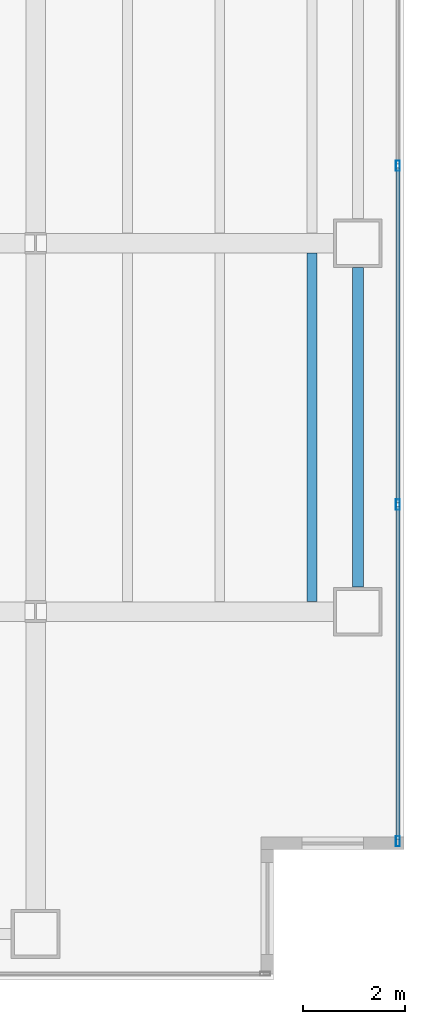
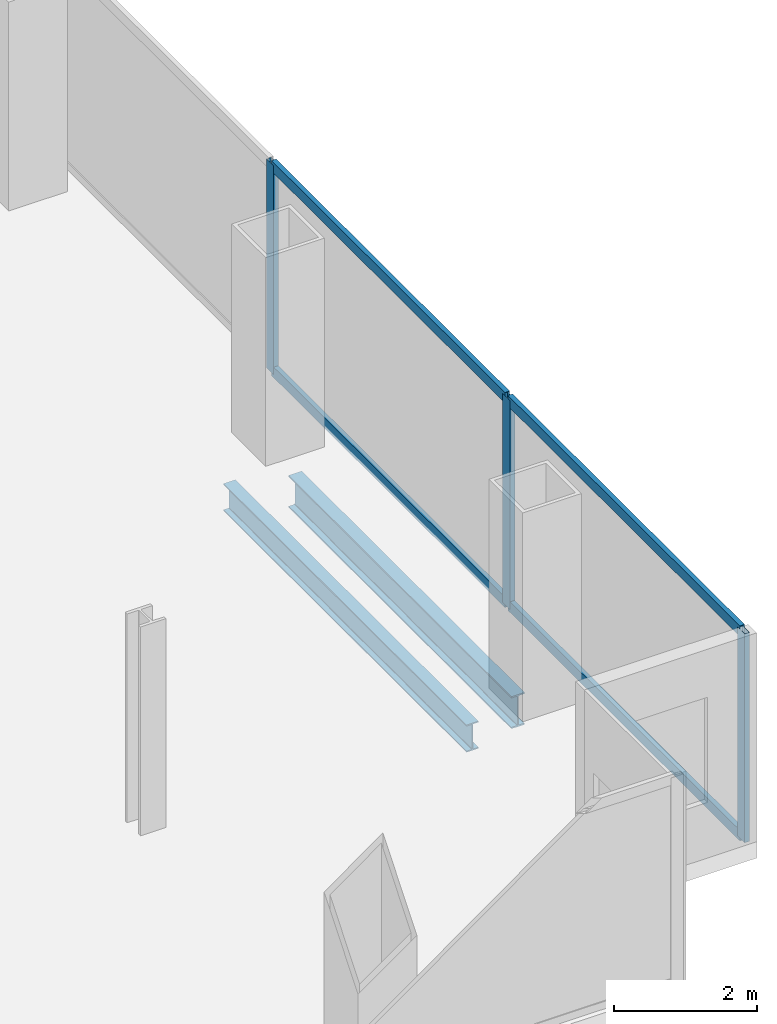
# One storey, part 10 of 23: 7 members, 2 beams, 1 element without a shape of its own.
"""IFC4 building model written with IfcOpenShell, lengths in metres."""

import ifcopenshell
import ifcopenshell.guid

model = None  # the IFC model being written
_history = None  # IfcOwnerHistory: only IFC2X3 demands one
_inside = {}  # id of a spatial element -> (the spatial element, [elements in it])
_under = {}  # id of a project, library or spatial element -> (it, [spatial elements below it])
_declared = {}  # id of a project -> (the project, [libraries it declares])
_typed = {}  # id of a type object -> (the type object, [elements of that type])
_made_of = {}  # id of a material, layer set ... -> (it, [elements and type objects made of it])


def new_model(schema):
    """Start an empty IFC model of exactly this schema.

    Asked for "IFC4X3", IfcOpenShell would pick the latest addendum, in which some entities
    have other attributes; the version numbers below select the first issue.
    IFC2X3 requires an IfcOwnerHistory on every rooted entity: one is made here for all.
    """
    global model, _history
    if schema == "IFC4X3":
        model = ifcopenshell.file(schema_version=(4, 3, 0, 0))
    else:
        model = ifcopenshell.file(schema=schema)
    _inside.clear()
    _under.clear()
    _declared.clear()
    _typed.clear()
    _made_of.clear()
    _history = None
    if model.schema == "IFC2X3":
        org = make("IfcOrganization", Name="unknown")
        user = make(
            "IfcPersonAndOrganization",
            ThePerson=make("IfcPerson", FamilyName="unknown"),
            TheOrganization=org,
        )
        app = make(
            "IfcApplication",
            ApplicationDeveloper=org,
            Version="unknown",
            ApplicationFullName="unknown",
            ApplicationIdentifier="unknown",
        )
        _history = make(
            "IfcOwnerHistory",
            OwningUser=user,
            OwningApplication=app,
            ChangeAction="ADDED",
            CreationDate=0,
        )
    return model


def make(cls, **values):
    """One entity of the class cls with the attributes given. An attribute that is None is left unset."""
    return model.create_entity(
        cls, **{name: value for name, value in values.items() if value is not None}
    )


def rooted(cls, **values):
    """An entity with a GlobalId (a new one), such as an element, a storey or a relation."""
    return make(cls, GlobalId=ifcopenshell.guid.new(), OwnerHistory=_history, **values)


def si_unit(unit_type, name, prefix=None):
    """IfcSIUnit, for example si_unit("LENGTHUNIT", "METRE", prefix="MILLI")."""
    return make("IfcSIUnit", UnitType=unit_type, Prefix=prefix, Name=name)


def assignment(units):
    """IfcUnitAssignment: the units of a project."""
    return None if units is None else make("IfcUnitAssignment", Units=units)


def point(xyz):
    """IfcCartesianPoint."""
    return None if xyz is None else make("IfcCartesianPoint", Coordinates=xyz)


def direction(xyz):
    """IfcDirection."""
    return None if xyz is None else make("IfcDirection", DirectionRatios=xyz)


def frame(location, z_axis=None, x_axis=None):
    """IfcAxis2Placement3D, a coordinate frame: its origin and axes. An axis left out is left unset."""
    return make(
        "IfcAxis2Placement3D",
        Location=point(location),
        Axis=direction(z_axis),
        RefDirection=direction(x_axis),
    )


def frame_2d(location, x_axis=None):
    """IfcAxis2Placement2D, a coordinate frame in the plane: its origin and x axis."""
    return make(
        "IfcAxis2Placement2D", Location=point(location), RefDirection=direction(x_axis)
    )


def origin():
    """The frame at (0, 0, 0) with its axes left unset."""
    return frame((0.0, 0.0, 0.0))


def origin_2d():
    """The frame at (0, 0) in the plane with its x axis left unset."""
    return frame_2d((0.0, 0.0))


def place(relative_to, where):
    """IfcLocalPlacement: puts the frame where relative to a parent placement (None: the world)."""
    return make(
        "IfcLocalPlacement", PlacementRelTo=relative_to, RelativePlacement=where
    )


def context(
    kind, dimensions, precision=None, world=None, true_north=None, identifier=None
):
    """IfcGeometricRepresentationContext, for example the 3D "Model" context."""
    return make(
        "IfcGeometricRepresentationContext",
        ContextIdentifier=identifier,
        ContextType=kind,
        CoordinateSpaceDimension=dimensions,
        Precision=precision,
        WorldCoordinateSystem=world,
        TrueNorth=true_north,
    )


def subcontext(parent, identifier, kind, view, scale=None):
    """IfcGeometricRepresentationSubContext, for example "Body" below "Model"."""
    return make(
        "IfcGeometricRepresentationSubContext",
        ContextIdentifier=identifier,
        ContextType=kind,
        ParentContext=parent,
        TargetScale=scale,
        TargetView=view,
    )


def project(units=None, contexts=None):
    """IfcProject with its units and contexts."""
    return rooted(
        "IfcProject",
        Name="project",
        RepresentationContexts=contexts,
        UnitsInContext=assignment(units),
    )


def spatial(cls, under=None, at=None, **own):
    """A site, building, storey or space (cls), placed at a placement, below another one or the project."""
    s = rooted(cls, ObjectPlacement=at, **own)
    if under is not None:
        _under.setdefault(under.id(), (under, []))[1].append(s)
    return s


def profile(cls, at=None, kind="AREA", **sizes):
    """A parametric profile (cls). Its sizes go by their IFC names, for example OverallWidth=200.0."""
    return make(cls, ProfileType=kind, Position=at, **sizes)


def hollow_rectangle(**sizes):
    """IfcRectangleHollowProfileDef."""
    return profile("IfcRectangleHollowProfileDef", **sizes)


def i_section(**sizes):
    """IfcIShapeProfileDef."""
    return profile("IfcIShapeProfileDef", **sizes)


def extrude(swept, where, along, depth):
    """IfcExtrudedAreaSolid: the profile swept, set in the frame where, extruded along a direction by depth."""
    return make(
        "IfcExtrudedAreaSolid",
        SweptArea=swept,
        Position=where,
        ExtrudedDirection=direction(along),
        Depth=depth,
    )


def shape(context_of_items, identifier, shape_type, items):
    """IfcShapeRepresentation: the items that make up one representation, for example the "Body"."""
    return make(
        "IfcShapeRepresentation",
        ContextOfItems=context_of_items,
        RepresentationIdentifier=identifier,
        RepresentationType=shape_type,
        Items=items,
    )


def material(Name=None, Category=None):
    """IfcMaterial."""
    return make("IfcMaterial", Name=Name, Category=Category)


def material_profile(
    of_material, cross_section, Name=None, Category=None, Priority=None
):
    """IfcMaterialProfile: a cross section and its material."""
    return make(
        "IfcMaterialProfile",
        Name=Name,
        Material=of_material,
        Profile=cross_section,
        Priority=Priority,
        Category=Category,
    )


def profile_set(profiles, Name=None, composite=None):
    """IfcMaterialProfileSet."""
    return make(
        "IfcMaterialProfileSet",
        Name=Name,
        MaterialProfiles=profiles,
        CompositeProfile=composite,
    )


def made_of(thing, what):
    """Note that an element or type object is made of a material, layer set ...; save() writes the relation."""
    if what is not None:
        _made_of.setdefault(what.id(), (what, []))[1].append(thing)
    return thing


def type_object(cls, material=None, **own):
    """A type object (cls), such as IfcWallType, which elements share."""
    return made_of(rooted(cls, **own), material)


def element(
    cls,
    number,
    at=None,
    inside=None,
    cuts=None,
    type_object=None,
    material=None,
    context=None,
    identifier="Body",
    shape_type=None,
    held_by="IfcProductDefinitionShape",
    body=None,
    shapes=None,
    **own,
):
    """One element of the class cls, such as IfcWall. Its Tag is "e" and its number.

    at: its placement. inside: the storey or other place that contains it. cuts: it is an
    opening in that element (IfcRelVoidsElement). A single representation is given by context,
    identifier, shape_type and body (its items); several are given by shapes. held_by: the class
    of the entity that holds the representations. save() writes the other relations.
    """
    e = rooted(cls, Tag="e%d" % number, ObjectPlacement=at, **own)
    if body is not None:
        shapes = [shape(context, identifier, shape_type, body)]
    if shapes is not None:
        e.Representation = make(held_by, Representations=shapes)
    if inside is not None:
        _inside.setdefault(inside.id(), (inside, []))[1].append(e)
    if cuts is not None:
        rooted(
            "IfcRelVoidsElement", RelatingBuildingElement=cuts, RelatedOpeningElement=e
        )
    if type_object is not None:
        _typed.setdefault(type_object.id(), (type_object, []))[1].append(e)
    return made_of(e, material)


def aggregate(whole, parts):
    """IfcRelAggregates: a whole, such as a stair, and the parts it consists of."""
    return rooted("IfcRelAggregates", RelatingObject=whole, RelatedObjects=parts)


def save(model, path):
    """Write the relations noted so far, then the file.

    IfcRelAggregates (storeys below a building ...), IfcRelContainedInSpatialStructure (elements
    in a storey), IfcRelDefinesByType, IfcRelAssociatesMaterial and IfcRelDeclares: one each for
    every whole, place, type object, material and project.
    """
    for whole, parts in _under.values():
        aggregate(whole, parts)
    for where, things in _inside.values():
        rooted(
            "IfcRelContainedInSpatialStructure",
            RelatedElements=things,
            RelatingStructure=where,
        )
    for kind, things in _typed.values():
        rooted("IfcRelDefinesByType", RelatedObjects=things, RelatingType=kind)
    for what, things in _made_of.values():
        rooted("IfcRelAssociatesMaterial", RelatedObjects=things, RelatingMaterial=what)
    for by, libraries in _declared.values():
        rooted("IfcRelDeclares", RelatingContext=by, RelatedDefinitions=libraries)
    model.write(path)


model = new_model("IFC4")

# Units and contexts
model_context = context("Model", 3, precision=1e-05, world=origin(), true_north=direction((0.0, 1.0)))
body_context = subcontext(model_context, "Body", "Model", "MODEL_VIEW")
ifc_project = project(units=[si_unit("LENGTHUNIT", "METRE"), si_unit("AREAUNIT", "SQUARE_METRE"), si_unit("VOLUMEUNIT", "CUBIC_METRE"), si_unit("PLANEANGLEUNIT", "RADIAN"), si_unit("MASSUNIT", "GRAM", prefix="KILO")], contexts=[model_context])

# Site, building, storey
site_placement = place(None, origin())
site = spatial("IfcSite", under=ifc_project, at=site_placement, CompositionType="ELEMENT")
building_placement = place(site_placement, origin())
building = spatial("IfcBuilding", under=site, at=building_placement, Name="Cobrela Telecom Tower", CompositionType="ELEMENT")
storey_placement = place(building_placement, frame((0.0, 0.0, 81.199951171875)))
storey = spatial("IfcBuildingStorey", under=building, at=storey_placement, Name="L20", CompositionType="ELEMENT", Elevation=81.199951171875)

# Beams
ifc_material_1 = material(Name="Steel ASTM A992 Grade 50", Category="steel")
ifc_material_profile_1 = material_profile(ifc_material_1, i_section(OverallWidth=0.193115234375, OverallDepth=0.467041015625, WebThickness=0.011474609375, FlangeThickness=0.01904296875, FilletRadius=0.012939453125, at=origin_2d()), Name="W18X65")
ifc_profile_set_1 = profile_set([ifc_material_profile_1], Name="Steel ASTM A992 Grade 50")
beam_type_1 = type_object("IfcBeamType", Name="BM-JOIST-03", PredefinedType="JOIST", material=ifc_profile_set_1)
beam_1_placement = place(storey_placement, frame((48.60009765625, 7.3955078125, -0.513427734375), z_axis=(0.0, 1.0, 0.0), x_axis=(-1.0, 0.0, 0.0)))
element("IfcBeam", 1, at=beam_1_placement, inside=storey, type_object=beam_type_1, Name="L20 Secondary Composite Floor Beam J63", PredefinedType="JOIST", context=body_context, shape_type="SweptSolid", body=[
    extrude(i_section(OverallWidth=0.193115234375, OverallDepth=0.467041015625, WebThickness=0.011474609375, FlangeThickness=0.01904296875, FilletRadius=0.012939453125, at=origin_2d()), origin(), (0.0, 0.0, 1.0), 6.80908203125),
])
ifc_material_profile_2 = material_profile(ifc_material_1, i_section(OverallWidth=0.212890625, OverallDepth=0.549072265625, WebThickness=0.0146484375, FlangeThickness=0.023681640625, FilletRadius=0.013916015625, at=origin_2d()), Name="W21X93")
ifc_profile_set_2 = profile_set([ifc_material_profile_2], Name="Steel ASTM A992 Grade 50")
beam_type_2 = type_object("IfcBeamType", Name="BM-SPAND-03", PredefinedType="SPANDREL", material=ifc_profile_set_2)
beam_2_placement = place(storey_placement, frame((49.5, 7.679931640625, -0.554443359375), z_axis=(0.0, 1.0, 0.0), x_axis=(-1.0, 0.0, 0.0)))
element("IfcBeam", 2, at=beam_2_placement, inside=storey, type_object=beam_type_2, Name="L20 Perimeter Spandrel Y56", PredefinedType="SPANDREL", context=body_context, shape_type="SweptSolid", body=[
    extrude(i_section(OverallWidth=0.212890625, OverallDepth=0.549072265625, WebThickness=0.0146484375, FlangeThickness=0.023681640625, FilletRadius=0.013916015625, at=origin_2d()), origin(), (0.0, 0.0, 1.0), 6.239990234375),
])

# Curtain wall, members
ifc_material_2 = material(Name="Anodized Bronze Aluminium 6063-T6", Category="aluminium")
curtain_wall_type = type_object("IfcCurtainWallType", Name="CW-SYS-DATA", PredefinedType="USERDEFINED", material=ifc_material_2)
curtain_wall_placement = place(storey_placement, origin())
curtain_wall = element("IfcCurtainWall", 3, at=curtain_wall_placement, inside=storey, type_object=curtain_wall_type, Name="L20 Unitised Bronze Curtain Wall 14", ObjectType="UNITISED CURTAIN WALL", PredefinedType="USERDEFINED")
ifc_material_profile_3 = material_profile(ifc_material_2, hollow_rectangle(XDim=0.080078125, YDim=0.199951171875, WallThickness=0.00390625, at=origin_2d()), Name="ALU 80x200x4")
ifc_profile_set_3 = profile_set([ifc_material_profile_3], Name="Anodized Bronze Aluminium 6063-T6")
member_type_1 = type_object("IfcMemberType", Name="CW-SYS-DATA-MUL", PredefinedType="MULLION", material=ifc_profile_set_3)
member_1_placement = place(storey_placement, frame((50.280029296875, 15.909912109375, 0.0), z_axis=(0.0, 0.0, 1.0), x_axis=(1.0, 0.0, 0.0)))
member_1 = element("IfcMember", 4, at=member_1_placement, type_object=member_type_1, Name="CW-DATA mullion 2", PredefinedType="MULLION", context=body_context, shape_type="SweptSolid", body=[
    extrude(hollow_rectangle(XDim=0.080078125, YDim=0.199951171875, WallThickness=0.00390625, at=origin_2d()), origin(), (0.0, 0.0, 1.0), 3.570068359375),
])
member_2_placement = place(storey_placement, frame((50.280029296875, 9.2900390625, 0.0), z_axis=(0.0, 0.0, 1.0), x_axis=(1.0, 0.0, 0.0)))
member_2 = element("IfcMember", 5, at=member_2_placement, type_object=member_type_1, Name="CW-DATA mullion 3", PredefinedType="MULLION", context=body_context, shape_type="SweptSolid", body=[
    extrude(hollow_rectangle(XDim=0.080078125, YDim=0.199951171875, WallThickness=0.00390625, at=origin_2d()), origin(), (0.0, 0.0, 1.0), 3.570068359375),
])
member_3_placement = place(storey_placement, frame((50.280029296875, 2.7099609375, 0.0), z_axis=(0.0, 0.0, 1.0), x_axis=(1.0, 0.0, 0.0)))
member_3 = element("IfcMember", 6, at=member_3_placement, type_object=member_type_1, Name="CW-DATA mullion 4", PredefinedType="MULLION", context=body_context, shape_type="SweptSolid", body=[
    extrude(hollow_rectangle(XDim=0.080078125, YDim=0.199951171875, WallThickness=0.00390625, at=origin_2d()), origin(), (0.0, 0.0, 1.0), 3.570068359375),
])
ifc_material_profile_4 = material_profile(ifc_material_2, hollow_rectangle(XDim=0.074951171875, YDim=0.179931640625, WallThickness=0.00390625, at=origin_2d()), Name="ALU 75x180x4")
ifc_profile_set_4 = profile_set([ifc_material_profile_4], Name="Anodized Bronze Aluminium 6063-T6")
member_type_2 = type_object("IfcMemberType", Name="CW-SYS-DATA-TRN", PredefinedType="USERDEFINED", material=ifc_profile_set_4)
member_4_placement = place(storey_placement, frame((50.280029296875, 15.8701171875, 0.03759765625), z_axis=(0.0, -1.0, 0.0), x_axis=(1.0, 0.0, 0.0)))
member_4 = element("IfcMember", 7, at=member_4_placement, type_object=member_type_2, Name="CW-DATA transom 2.1", ObjectType="TRANSOM", PredefinedType="USERDEFINED", context=body_context, shape_type="SweptSolid", body=[
    extrude(hollow_rectangle(XDim=0.074951171875, YDim=0.179931640625, WallThickness=0.00390625, at=origin_2d()), origin(), (0.0, 0.0, 1.0), 6.5400390625),
])
member_5_placement = place(storey_placement, frame((50.280029296875, 15.8701171875, 3.532470703125), z_axis=(0.0, -1.0, 0.0), x_axis=(1.0, 0.0, 0.0)))
member_5 = element("IfcMember", 8, at=member_5_placement, type_object=member_type_2, Name="CW-DATA transom 2.2", ObjectType="TRANSOM", PredefinedType="USERDEFINED", context=body_context, shape_type="SweptSolid", body=[
    extrude(hollow_rectangle(XDim=0.074951171875, YDim=0.179931640625, WallThickness=0.00390625, at=origin_2d()), origin(), (0.0, 0.0, 1.0), 6.5400390625),
])
member_6_placement = place(storey_placement, frame((50.280029296875, 9.25, 0.03759765625), z_axis=(0.0, -1.0, 0.0), x_axis=(1.0, 0.0, 0.0)))
member_6 = element("IfcMember", 9, at=member_6_placement, type_object=member_type_2, Name="CW-DATA transom 3.1", ObjectType="TRANSOM", PredefinedType="USERDEFINED", context=body_context, shape_type="SweptSolid", body=[
    extrude(hollow_rectangle(XDim=0.074951171875, YDim=0.179931640625, WallThickness=0.00390625, at=origin_2d()), origin(), (0.0, 0.0, 1.0), 6.5),
])
member_7_placement = place(storey_placement, frame((50.280029296875, 9.25, 3.532470703125), z_axis=(0.0, -1.0, 0.0), x_axis=(1.0, 0.0, 0.0)))
member_7 = element("IfcMember", 10, at=member_7_placement, type_object=member_type_2, Name="CW-DATA transom 3.2", ObjectType="TRANSOM", PredefinedType="USERDEFINED", context=body_context, shape_type="SweptSolid", body=[
    extrude(hollow_rectangle(XDim=0.074951171875, YDim=0.179931640625, WallThickness=0.00390625, at=origin_2d()), origin(), (0.0, 0.0, 1.0), 6.5),
])
aggregate(curtain_wall, [member_1, member_2, member_3, member_4, member_5, member_6, member_7])

save(model, "model.ifc")
